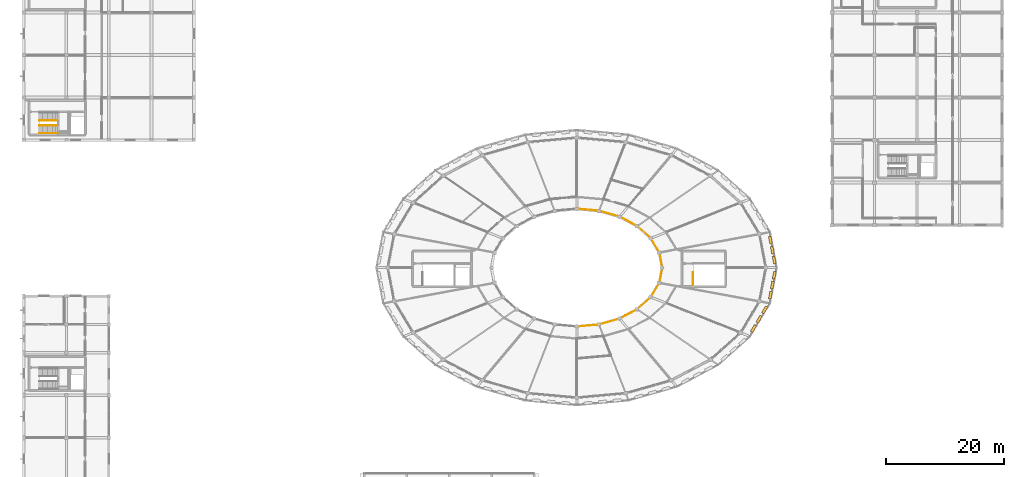
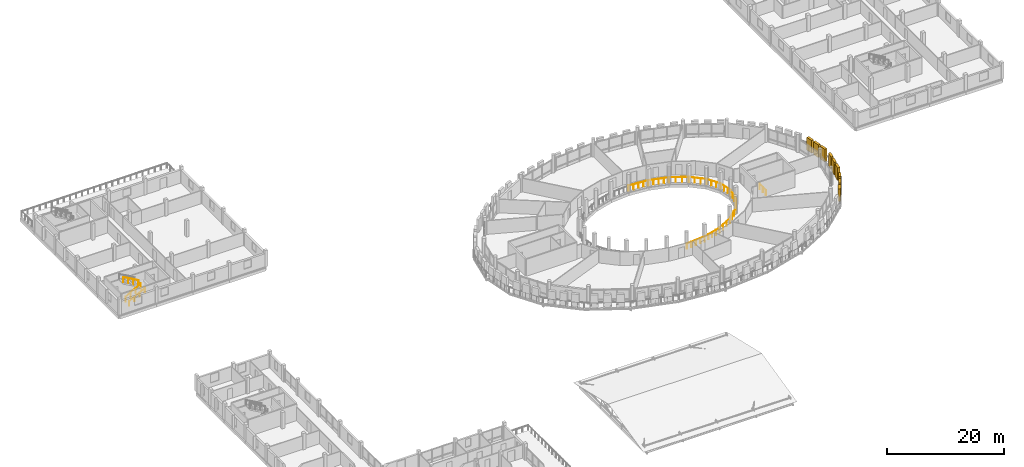
# One storey, part 81 of 84: 9 shading devices, 6 railings.
"""IFC4 building model written with IfcOpenShell, lengths in metres."""

import ifcopenshell
import ifcopenshell.guid

model = None  # the IFC model being written
_history = None  # IfcOwnerHistory: only IFC2X3 demands one
_inside = {}  # id of a spatial element -> (the spatial element, [elements in it])
_under = {}  # id of a project, library or spatial element -> (it, [spatial elements below it])
_declared = {}  # id of a project -> (the project, [libraries it declares])
_typed = {}  # id of a type object -> (the type object, [elements of that type])
_made_of = {}  # id of a material, layer set ... -> (it, [elements and type objects made of it])


def new_model(schema):
    """Start an empty IFC model of exactly this schema.

    Asked for "IFC4X3", IfcOpenShell would pick the latest addendum, in which some entities
    have other attributes; the version numbers below select the first issue.
    IFC2X3 requires an IfcOwnerHistory on every rooted entity: one is made here for all.
    """
    global model, _history
    if schema == "IFC4X3":
        model = ifcopenshell.file(schema_version=(4, 3, 0, 0))
    else:
        model = ifcopenshell.file(schema=schema)
    _inside.clear()
    _under.clear()
    _declared.clear()
    _typed.clear()
    _made_of.clear()
    _history = None
    if model.schema == "IFC2X3":
        org = make("IfcOrganization", Name="unknown")
        user = make(
            "IfcPersonAndOrganization",
            ThePerson=make("IfcPerson", FamilyName="unknown"),
            TheOrganization=org,
        )
        app = make(
            "IfcApplication",
            ApplicationDeveloper=org,
            Version="unknown",
            ApplicationFullName="unknown",
            ApplicationIdentifier="unknown",
        )
        _history = make(
            "IfcOwnerHistory",
            OwningUser=user,
            OwningApplication=app,
            ChangeAction="ADDED",
            CreationDate=0,
        )
    return model


def make(cls, **values):
    """One entity of the class cls with the attributes given. An attribute that is None is left unset."""
    return model.create_entity(
        cls, **{name: value for name, value in values.items() if value is not None}
    )


def rooted(cls, **values):
    """An entity with a GlobalId (a new one), such as an element, a storey or a relation."""
    return make(cls, GlobalId=ifcopenshell.guid.new(), OwnerHistory=_history, **values)


def si_unit(unit_type, name, prefix=None):
    """IfcSIUnit, for example si_unit("LENGTHUNIT", "METRE", prefix="MILLI")."""
    return make("IfcSIUnit", UnitType=unit_type, Prefix=prefix, Name=name)


def assignment(units):
    """IfcUnitAssignment: the units of a project."""
    return None if units is None else make("IfcUnitAssignment", Units=units)


def point(xyz):
    """IfcCartesianPoint."""
    return None if xyz is None else make("IfcCartesianPoint", Coordinates=xyz)


def direction(xyz):
    """IfcDirection."""
    return None if xyz is None else make("IfcDirection", DirectionRatios=xyz)


def frame(location, z_axis=None, x_axis=None):
    """IfcAxis2Placement3D, a coordinate frame: its origin and axes. An axis left out is left unset."""
    return make(
        "IfcAxis2Placement3D",
        Location=point(location),
        Axis=direction(z_axis),
        RefDirection=direction(x_axis),
    )


def frame_2d(location, x_axis=None):
    """IfcAxis2Placement2D, a coordinate frame in the plane: its origin and x axis."""
    return make(
        "IfcAxis2Placement2D", Location=point(location), RefDirection=direction(x_axis)
    )


def origin():
    """The frame at (0, 0, 0) with its axes left unset."""
    return frame((0.0, 0.0, 0.0))


def origin_2d():
    """The frame at (0, 0) in the plane with its x axis left unset."""
    return frame_2d((0.0, 0.0))


def place(relative_to, where):
    """IfcLocalPlacement: puts the frame where relative to a parent placement (None: the world)."""
    return make(
        "IfcLocalPlacement", PlacementRelTo=relative_to, RelativePlacement=where
    )


def context(
    kind, dimensions, precision=None, world=None, true_north=None, identifier=None
):
    """IfcGeometricRepresentationContext, for example the 3D "Model" context."""
    return make(
        "IfcGeometricRepresentationContext",
        ContextIdentifier=identifier,
        ContextType=kind,
        CoordinateSpaceDimension=dimensions,
        Precision=precision,
        WorldCoordinateSystem=world,
        TrueNorth=true_north,
    )


def subcontext(parent, identifier, kind, view, scale=None):
    """IfcGeometricRepresentationSubContext, for example "Body" below "Model"."""
    return make(
        "IfcGeometricRepresentationSubContext",
        ContextIdentifier=identifier,
        ContextType=kind,
        ParentContext=parent,
        TargetScale=scale,
        TargetView=view,
    )


def project(units=None, contexts=None):
    """IfcProject with its units and contexts."""
    return rooted(
        "IfcProject",
        Name="project",
        RepresentationContexts=contexts,
        UnitsInContext=assignment(units),
    )


def spatial(cls, under=None, at=None, **own):
    """A site, building, storey or space (cls), placed at a placement, below another one or the project."""
    s = rooted(cls, ObjectPlacement=at, **own)
    if under is not None:
        _under.setdefault(under.id(), (under, []))[1].append(s)
    return s


def profile(cls, at=None, kind="AREA", **sizes):
    """A parametric profile (cls). Its sizes go by their IFC names, for example OverallWidth=200.0."""
    return make(cls, ProfileType=kind, Position=at, **sizes)


def rectangle(**sizes):
    """IfcRectangleProfileDef."""
    return profile("IfcRectangleProfileDef", **sizes)


def circle(**sizes):
    """IfcCircleProfileDef."""
    return profile("IfcCircleProfileDef", **sizes)


def extrude(swept, where, along, depth):
    """IfcExtrudedAreaSolid: the profile swept, set in the frame where, extruded along a direction by depth."""
    return make(
        "IfcExtrudedAreaSolid",
        SweptArea=swept,
        Position=where,
        ExtrudedDirection=direction(along),
        Depth=depth,
    )


def shape(context_of_items, identifier, shape_type, items):
    """IfcShapeRepresentation: the items that make up one representation, for example the "Body"."""
    return make(
        "IfcShapeRepresentation",
        ContextOfItems=context_of_items,
        RepresentationIdentifier=identifier,
        RepresentationType=shape_type,
        Items=items,
    )


def material(Name=None, Category=None):
    """IfcMaterial."""
    return make("IfcMaterial", Name=Name, Category=Category)


def made_of(thing, what):
    """Note that an element or type object is made of a material, layer set ...; save() writes the relation."""
    if what is not None:
        _made_of.setdefault(what.id(), (what, []))[1].append(thing)
    return thing


def type_object(cls, material=None, **own):
    """A type object (cls), such as IfcWallType, which elements share."""
    return made_of(rooted(cls, **own), material)


def element(
    cls,
    number,
    at=None,
    inside=None,
    cuts=None,
    type_object=None,
    material=None,
    context=None,
    identifier="Body",
    shape_type=None,
    held_by="IfcProductDefinitionShape",
    body=None,
    shapes=None,
    **own,
):
    """One element of the class cls, such as IfcWall. Its Tag is "e" and its number.

    at: its placement. inside: the storey or other place that contains it. cuts: it is an
    opening in that element (IfcRelVoidsElement). A single representation is given by context,
    identifier, shape_type and body (its items); several are given by shapes. held_by: the class
    of the entity that holds the representations. save() writes the other relations.
    """
    e = rooted(cls, Tag="e%d" % number, ObjectPlacement=at, **own)
    if body is not None:
        shapes = [shape(context, identifier, shape_type, body)]
    if shapes is not None:
        e.Representation = make(held_by, Representations=shapes)
    if inside is not None:
        _inside.setdefault(inside.id(), (inside, []))[1].append(e)
    if cuts is not None:
        rooted(
            "IfcRelVoidsElement", RelatingBuildingElement=cuts, RelatedOpeningElement=e
        )
    if type_object is not None:
        _typed.setdefault(type_object.id(), (type_object, []))[1].append(e)
    return made_of(e, material)


def aggregate(whole, parts):
    """IfcRelAggregates: a whole, such as a stair, and the parts it consists of."""
    return rooted("IfcRelAggregates", RelatingObject=whole, RelatedObjects=parts)


def save(model, path):
    """Write the relations noted so far, then the file.

    IfcRelAggregates (storeys below a building ...), IfcRelContainedInSpatialStructure (elements
    in a storey), IfcRelDefinesByType, IfcRelAssociatesMaterial and IfcRelDeclares: one each for
    every whole, place, type object, material and project.
    """
    for whole, parts in _under.values():
        aggregate(whole, parts)
    for where, things in _inside.values():
        rooted(
            "IfcRelContainedInSpatialStructure",
            RelatedElements=things,
            RelatingStructure=where,
        )
    for kind, things in _typed.values():
        rooted("IfcRelDefinesByType", RelatedObjects=things, RelatingType=kind)
    for what, things in _made_of.values():
        rooted("IfcRelAssociatesMaterial", RelatedObjects=things, RelatingMaterial=what)
    for by, libraries in _declared.values():
        rooted("IfcRelDeclares", RelatingContext=by, RelatedDefinitions=libraries)
    model.write(path)


model = new_model("IFC4")

# Units and contexts
model_context = context("Model", 3, precision=1e-05, world=origin(), true_north=direction((0.0, 1.0)))
body_context = subcontext(model_context, "Body", "Model", "MODEL_VIEW")
ifc_project = project(units=[si_unit("LENGTHUNIT", "METRE"), si_unit("AREAUNIT", "SQUARE_METRE"), si_unit("VOLUMEUNIT", "CUBIC_METRE"), si_unit("PLANEANGLEUNIT", "RADIAN"), si_unit("MASSUNIT", "GRAM", prefix="KILO")], contexts=[model_context])

# Site, building, storey
site_placement = place(None, origin())
site = spatial("IfcSite", under=ifc_project, at=site_placement, CompositionType="ELEMENT")
building_placement = place(site_placement, origin())
building = spatial("IfcBuilding", under=site, at=building_placement, Name="Zornivar Specialist Clinic", CompositionType="ELEMENT")
storey_placement = place(building_placement, frame((0.0, 0.0, 12.300048828125)))
storey = spatial("IfcBuildingStorey", under=building, at=storey_placement, Name="L03", CompositionType="ELEMENT", Elevation=12.300048828125)

# Railings
ifc_material_1 = material(Name="Brushed Stainless Steel Stair Guardrail", Category="steel")
railing_type_1 = type_object("IfcRailingType", Name="GRD-INT-STAIR-1100", PredefinedType="GUARDRAIL", material=ifc_material_1)
railing_1_placement = place(storey_placement, frame((113.27001953125, 54.659912109375, 0.0)))
element("IfcRailing", 1, at=railing_1_placement, inside=storey, type_object=railing_type_1, Name="sg:C4:L03:topwell", PredefinedType="GUARDRAIL", context=body_context, shape_type="SweptSolid", body=[
    extrude(circle(Radius=0.02392578125, at=origin_2d()), frame((0.0, 0.0, 1.076171875), z_axis=(0.0, 1.0, 0.0), x_axis=(-1.0, 0.0, 0.0)), (0.0, 0.0, 1.0), 2.1201171875),
    extrude(circle(Radius=0.02099609375, at=origin_2d()), origin(), (0.0, 0.0, 1.0), 1.052001953125),
    extrude(circle(Radius=0.02099609375, at=origin_2d()), frame((0.0, 1.06005859375, 0.0)), (0.0, 0.0, 1.0), 1.052001953125),
    extrude(circle(Radius=0.02099609375, at=origin_2d()), frame((0.0, 2.1201171875, 0.0)), (0.0, 0.0, 1.0), 1.052001953125),
])
railing_2_placement = place(storey_placement, frame((2.639892578125, 81.679931640625, 0.154052734375)))
element("IfcRailing", 2, at=railing_2_placement, inside=storey, type_object=railing_type_1, Name="stair:C7:L03:grd1", PredefinedType="GUARDRAIL", context=body_context, shape_type="SweptSolid", body=[
    extrude(circle(Radius=0.02392578125, at=origin_2d()), frame((0.0, 0.0, 1.076171875), z_axis=(0.870544365607, 0.0, 0.492089938436), x_axis=(0.0, 1.0, 0.0)), (0.0, 0.0, 1.0), 3.446044921875),
    extrude(circle(Radius=0.02099609375, at=origin_2d()), origin(), (0.0, 0.0, 1.0), 1.052001953125),
    extrude(circle(Radius=0.02099609375, at=origin_2d()), frame((1.0, 0.0, 0.565185546875)), (0.0, 0.0, 1.0), 1.052001953125),
    extrude(circle(Radius=0.02099609375, at=origin_2d()), frame((2.0, 0.0, 1.130615234375)), (0.0, 0.0, 1.0), 1.052001953125),
    extrude(circle(Radius=0.02099609375, at=origin_2d()), frame((3.0, 0.0, 1.69580078125)), (0.0, 0.0, 1.0), 1.052001953125),
])
railing_3_placement = place(storey_placement, frame((5.639892578125, 82.52001953125, 2.00390625)))
element("IfcRailing", 3, at=railing_3_placement, inside=storey, type_object=railing_type_1, Name="stair:C7:L03:grd2", PredefinedType="GUARDRAIL", context=body_context, shape_type="SweptSolid", body=[
    extrude(circle(Radius=0.02392578125, at=origin_2d()), frame((0.0, 0.0, 1.076171875), z_axis=(-0.869096283189, 0.0, 0.49464295259), x_axis=(0.0, -1.0, 0.0)), (0.0, 0.0, 1.0), 3.4287109375),
    extrude(circle(Radius=0.02099609375, at=origin_2d()), origin(), (0.0, 0.0, 1.0), 1.052001953125),
    extrude(circle(Radius=0.02099609375, at=origin_2d()), frame((-0.993408203125, 0.0, 0.5654296875)), (0.0, 0.0, 1.0), 1.052001953125),
    extrude(circle(Radius=0.02099609375, at=origin_2d()), frame((-1.986572265625, 0.0, 1.130615234375)), (0.0, 0.0, 1.0), 1.052001953125),
    extrude(circle(Radius=0.02099609375, at=origin_2d()), frame((-2.97998046875, 0.0, 1.696044921875)), (0.0, 0.0, 1.0), 1.052001953125),
])
railing_4_placement = place(storey_placement, frame((108.073974609375, 57.62890625, 0.0)))
element("IfcRailing", 4, at=railing_4_placement, inside=storey, type_object=railing_type_1, Name="sg:V1:L03:atrium:q0", PredefinedType="GUARDRAIL", context=body_context, shape_type="SweptSolid", body=[
    extrude(circle(Radius=0.02392578125, at=origin_2d()), frame((0.0, 0.0, 1.076171875), z_axis=(-0.187453881852, 0.982273405004, 0.0), x_axis=(-0.982273405004, -0.187453881852, 0.0)), (0.0, 0.0, 1.0), 2.593017578125),
    extrude(circle(Radius=0.02392578125, at=origin_2d()), frame((-0.486083984375, 2.547119140625, 1.076171875), z_axis=(-0.5146109966, 0.857423770477, 0.0), x_axis=(-0.857423770477, -0.5146109966, 0.0)), (0.0, 0.0, 1.0), 2.8037109375),
    extrude(circle(Radius=0.02392578125, at=origin_2d()), frame((-1.928955078125, 4.951171875, 1.076171875), z_axis=(-0.743690964055, 0.668523559781, 0.0), x_axis=(-0.668523559781, -0.743690964055, 0.0)), (0.0, 0.0, 1.0), 3.0888671875),
    extrude(circle(Radius=0.02392578125, at=origin_2d()), frame((-4.22607421875, 7.01611328125, 1.076171875), z_axis=(-0.883356925607, 0.468700908878, 0.0), x_axis=(-0.468700908878, -0.883356925607, 0.0)), (0.0, 0.0, 1.0), 3.392578125),
    extrude(circle(Radius=0.02392578125, at=origin_2d()), frame((-7.222900390625, 8.606201171875, 1.076171875), z_axis=(-0.96120914359, 0.27582056174, 0.0), x_axis=(-0.27582056174, -0.96120914359, 0.0)), (0.0, 0.0, 1.0), 3.63623046875),
    extrude(circle(Radius=0.02392578125, at=origin_2d()), frame((-10.718017578125, 9.609130859375, 1.076171875), z_axis=(-0.995889996682, 0.090571046743, 0.0), x_axis=(-0.090571046743, -0.995889996682, 0.0)), (0.0, 0.0, 1.0), 3.741455078125),
    extrude(circle(Radius=0.02099609375, at=origin_2d()), origin(), (0.0, 0.0, 1.0), 1.052001953125),
    extrude(circle(Radius=0.02099609375, at=origin_2d()), frame((-0.162109375, 0.84912109375, 0.0)), (0.0, 0.0, 1.0), 1.052001953125),
    extrude(circle(Radius=0.02099609375, at=origin_2d()), frame((-0.323974609375, 1.697998046875, 0.0)), (0.0, 0.0, 1.0), 1.052001953125),
    extrude(circle(Radius=0.02099609375, at=origin_2d()), frame((-0.486083984375, 2.547119140625, 0.0)), (0.0, 0.0, 1.0), 1.052001953125),
    extrude(circle(Radius=0.02099609375, at=origin_2d()), frame((-0.967041015625, 3.348388671875, 0.0)), (0.0, 0.0, 1.0), 1.052001953125),
    extrude(circle(Radius=0.02099609375, at=origin_2d()), frame((-1.447998046875, 4.14990234375, 0.0)), (0.0, 0.0, 1.0), 1.052001953125),
    extrude(circle(Radius=0.02099609375, at=origin_2d()), frame((-1.928955078125, 4.951171875, 0.0)), (0.0, 0.0, 1.0), 1.052001953125),
    extrude(circle(Radius=0.02099609375, at=origin_2d()), frame((-2.694580078125, 5.639404296875, 0.0)), (0.0, 0.0, 1.0), 1.052001953125),
    extrude(circle(Radius=0.02099609375, at=origin_2d()), frame((-3.46044921875, 6.327880859375, 0.0)), (0.0, 0.0, 1.0), 1.052001953125),
    extrude(circle(Radius=0.02099609375, at=origin_2d()), frame((-4.22607421875, 7.01611328125, 0.0)), (0.0, 0.0, 1.0), 1.052001953125),
    extrude(circle(Radius=0.02099609375, at=origin_2d()), frame((-5.22509765625, 7.546142578125, 0.0)), (0.0, 0.0, 1.0), 1.052001953125),
    extrude(circle(Radius=0.02099609375, at=origin_2d()), frame((-6.223876953125, 8.076171875, 0.0)), (0.0, 0.0, 1.0), 1.052001953125),
    extrude(circle(Radius=0.02099609375, at=origin_2d()), frame((-7.222900390625, 8.606201171875, 0.0)), (0.0, 0.0, 1.0), 1.052001953125),
    extrude(circle(Radius=0.02099609375, at=origin_2d()), frame((-8.0966796875, 8.85693359375, 0.0)), (0.0, 0.0, 1.0), 1.052001953125),
    extrude(circle(Radius=0.02099609375, at=origin_2d()), frame((-8.970458984375, 9.107666015625, 0.0)), (0.0, 0.0, 1.0), 1.052001953125),
    extrude(circle(Radius=0.02099609375, at=origin_2d()), frame((-9.84423828125, 9.3583984375, 0.0)), (0.0, 0.0, 1.0), 1.052001953125),
    extrude(circle(Radius=0.02099609375, at=origin_2d()), frame((-10.718017578125, 9.609130859375, 0.0)), (0.0, 0.0, 1.0), 1.052001953125),
    extrude(circle(Radius=0.02099609375, at=origin_2d()), frame((-11.6494140625, 9.69384765625, 0.0)), (0.0, 0.0, 1.0), 1.052001953125),
    extrude(circle(Radius=0.02099609375, at=origin_2d()), frame((-12.5810546875, 9.778564453125, 0.0)), (0.0, 0.0, 1.0), 1.052001953125),
    extrude(circle(Radius=0.02099609375, at=origin_2d()), frame((-13.5126953125, 9.86328125, 0.0)), (0.0, 0.0, 1.0), 1.052001953125),
    extrude(circle(Radius=0.02099609375, at=origin_2d()), frame((-14.444091796875, 9.947998046875, 0.0)), (0.0, 0.0, 1.0), 1.052001953125),
])
railing_5_placement = place(storey_placement, frame((93.6298828125, 47.623046875, 0.0)))
element("IfcRailing", 5, at=railing_5_placement, inside=storey, type_object=railing_type_1, Name="sg:V1:L03:atrium:q3", PredefinedType="GUARDRAIL", context=body_context, shape_type="SweptSolid", body=[
    extrude(circle(Radius=0.02392578125, at=origin_2d()), frame((0.0, 0.0, 1.076171875), z_axis=(0.995889996682, 0.090571046743, 0.0), x_axis=(-0.090571046743, 0.995889996682, 0.0)), (0.0, 0.0, 1.0), 3.741455078125),
    extrude(circle(Radius=0.02392578125, at=origin_2d()), frame((3.72607421875, 0.3388671875, 1.076171875), z_axis=(0.961191341068, 0.275882594332, 0.0), x_axis=(-0.275882594332, 0.961191341068, 0.0)), (0.0, 0.0, 1.0), 3.63623046875),
    extrude(circle(Radius=0.02392578125, at=origin_2d()), frame((7.22119140625, 1.342041015625, 1.076171875), z_axis=(0.883386720056, 0.468644751202, 0.0), x_axis=(-0.468644751202, 0.883386720056, 0.0)), (0.0, 0.0, 1.0), 3.392333984375),
    extrude(circle(Radius=0.02392578125, at=origin_2d()), frame((10.218017578125, 2.931884765625, 1.076171875), z_axis=(0.74365166795, 0.668567271675, 0.0), x_axis=(-0.668567271675, 0.74365166795, 0.0)), (0.0, 0.0, 1.0), 3.0888671875),
    extrude(circle(Radius=0.02392578125, at=origin_2d()), frame((12.51513671875, 4.9970703125, 1.076171875), z_axis=(0.51464941973, 0.857400708404, 0.0), x_axis=(-0.857400708404, 0.51464941973, 0.0)), (0.0, 0.0, 1.0), 2.8037109375),
    extrude(circle(Radius=0.02392578125, at=origin_2d()), frame((13.9580078125, 7.40087890625, 1.076171875), z_axis=(0.187453881852, 0.982273405004, 0.0), x_axis=(-0.982273405004, 0.187453881852, 0.0)), (0.0, 0.0, 1.0), 2.593017578125),
    extrude(circle(Radius=0.02099609375, at=origin_2d()), origin(), (0.0, 0.0, 1.0), 1.052001953125),
    extrude(circle(Radius=0.02099609375, at=origin_2d()), frame((0.931640625, 0.084716796875, 0.0)), (0.0, 0.0, 1.0), 1.052001953125),
    extrude(circle(Radius=0.02099609375, at=origin_2d()), frame((1.863037109375, 0.16943359375, 0.0)), (0.0, 0.0, 1.0), 1.052001953125),
    extrude(circle(Radius=0.02099609375, at=origin_2d()), frame((2.79443359375, 0.254150390625, 0.0)), (0.0, 0.0, 1.0), 1.052001953125),
    extrude(circle(Radius=0.02099609375, at=origin_2d()), frame((3.72607421875, 0.3388671875, 0.0)), (0.0, 0.0, 1.0), 1.052001953125),
    extrude(circle(Radius=0.02099609375, at=origin_2d()), frame((4.599853515625, 0.589599609375, 0.0)), (0.0, 0.0, 1.0), 1.052001953125),
    extrude(circle(Radius=0.02099609375, at=origin_2d()), frame((5.4736328125, 0.84033203125, 0.0)), (0.0, 0.0, 1.0), 1.052001953125),
    extrude(circle(Radius=0.02099609375, at=origin_2d()), frame((6.347412109375, 1.09130859375, 0.0)), (0.0, 0.0, 1.0), 1.052001953125),
    extrude(circle(Radius=0.02099609375, at=origin_2d()), frame((7.22119140625, 1.342041015625, 0.0)), (0.0, 0.0, 1.0), 1.052001953125),
    extrude(circle(Radius=0.02099609375, at=origin_2d()), frame((8.22021484375, 1.8720703125, 0.0)), (0.0, 0.0, 1.0), 1.052001953125),
    extrude(circle(Radius=0.02099609375, at=origin_2d()), frame((9.218994140625, 2.40185546875, 0.0)), (0.0, 0.0, 1.0), 1.052001953125),
    extrude(circle(Radius=0.02099609375, at=origin_2d()), frame((10.218017578125, 2.931884765625, 0.0)), (0.0, 0.0, 1.0), 1.052001953125),
    extrude(circle(Radius=0.02099609375, at=origin_2d()), frame((10.983642578125, 3.620361328125, 0.0)), (0.0, 0.0, 1.0), 1.052001953125),
    extrude(circle(Radius=0.02099609375, at=origin_2d()), frame((11.74951171875, 4.30859375, 0.0)), (0.0, 0.0, 1.0), 1.052001953125),
    extrude(circle(Radius=0.02099609375, at=origin_2d()), frame((12.51513671875, 4.9970703125, 0.0)), (0.0, 0.0, 1.0), 1.052001953125),
    extrude(circle(Radius=0.02099609375, at=origin_2d()), frame((12.99609375, 5.79833984375, 0.0)), (0.0, 0.0, 1.0), 1.052001953125),
    extrude(circle(Radius=0.02099609375, at=origin_2d()), frame((13.47705078125, 6.599609375, 0.0)), (0.0, 0.0, 1.0), 1.052001953125),
    extrude(circle(Radius=0.02099609375, at=origin_2d()), frame((13.9580078125, 7.40087890625, 0.0)), (0.0, 0.0, 1.0), 1.052001953125),
    extrude(circle(Radius=0.02099609375, at=origin_2d()), frame((14.1201171875, 8.25, 0.0)), (0.0, 0.0, 1.0), 1.052001953125),
    extrude(circle(Radius=0.02099609375, at=origin_2d()), frame((14.281982421875, 9.098876953125, 0.0)), (0.0, 0.0, 1.0), 1.052001953125),
    extrude(circle(Radius=0.02099609375, at=origin_2d()), frame((14.444091796875, 9.947998046875, 0.0)), (0.0, 0.0, 1.0), 1.052001953125),
])
ifc_material_2 = material(Name="Brushed Stainless Steel Continuous Handrail", Category="steel")
railing_type_2 = type_object("IfcRailingType", Name="HRL-STAIR-0920", PredefinedType="HANDRAIL", material=ifc_material_2)
railing_6_placement = place(storey_placement, frame((2.60009765625, 80.3701171875, 0.154052734375)))
element("IfcRailing", 6, at=railing_6_placement, inside=storey, type_object=railing_type_2, Name="stair:C7:L03:hr1", PredefinedType="HANDRAIL", context=body_context, shape_type="SweptSolid", body=[
    extrude(circle(Radius=0.02392578125, at=origin_2d()), frame((0.0, 0.0, 0.89599609375), z_axis=(0.875988564427, 0.0, 0.482331872256), x_axis=(0.0, 1.0, 0.0)), (0.0, 0.0, 1.0), 3.515869140625),
    extrude(circle(Radius=0.02099609375, at=origin_2d()), origin(), (0.0, 0.0, 1.0), 0.871826171875),
    extrude(circle(Radius=0.02099609375, at=origin_2d()), frame((1.026611328125, 0.0, 0.565185546875)), (0.0, 0.0, 1.0), 0.871826171875),
    extrude(circle(Radius=0.02099609375, at=origin_2d()), frame((2.05322265625, 0.0, 1.130615234375)), (0.0, 0.0, 1.0), 0.871826171875),
    extrude(circle(Radius=0.02099609375, at=origin_2d()), frame((3.079833984375, 0.0, 1.69580078125)), (0.0, 0.0, 1.0), 0.871826171875),
])

# Shading devices
ifc_material_3 = material(Name="Oiled European Larch Timber Louvre Shutter", Category="wood")
shading_device_type = type_object("IfcShadingDeviceType", Name="SHD-DRUM-SHUTTER-450", PredefinedType="SHUTTER", material=ifc_material_3)
for number, where, z_axis, x_axis, name in (
    (7, (127.02001953125, 58.881103515625, 0.0), (0.0, 0.0, 1.0), (-0.188098987302, 0.982150075587, 0.0), "shutter:V1:L03:c00:0"),
    (8, (126.696044921875, 60.571044921875, 0.0), (0.0, 0.0, 1.0), (-0.188098987302, 0.982150075587, 0.0), "shutter:V1:L03:c00:1"),
    (9, (126.373046875, 62.260986328125, 0.0), (0.0, 0.0, 1.0), (-0.188098987302, 0.982150075587, 0.0), "shutter:V1:L03:c00:2"),
    (10, (123.507080078125, 47.305908203125, 0.0), (0.0, 0.0, 1.0), (0.516018019467, 0.856577727696, 0.0), "shutter:V1:L03:c22:0"),
    (11, (124.4560546875, 48.881103515625, 0.0), (0.0, 0.0, 1.0), (0.516018019467, 0.856577727696, 0.0), "shutter:V1:L03:c22:1"),
    (12, (125.404052734375, 50.4560546875, 0.0), (0.0, 0.0, 1.0), (0.516018019467, 0.856577727696, 0.0), "shutter:V1:L03:c22:2"),
    (13, (126.373046875, 52.93896484375, 0.0), (0.0, 0.0, 1.0), (0.188098987302, 0.982150075587, 0.0), "shutter:V1:L03:c23:0"),
    (14, (126.696044921875, 54.62890625, 0.0), (0.0, 0.0, 1.0), (0.188098987302, 0.982150075587, 0.0), "shutter:V1:L03:c23:1"),
    (15, (127.02001953125, 56.319091796875, 0.0), (0.0, 0.0, 1.0), (0.188098987302, 0.982150075587, 0.0), "shutter:V1:L03:c23:2"),
):
    element("IfcShadingDevice", number, at=place(storey_placement, frame(where, z_axis=z_axis, x_axis=x_axis)), inside=storey, type_object=shading_device_type, Name=name, PredefinedType="SHUTTER", context=body_context, shape_type="SweptSolid", body=[
        extrude(rectangle(XDim=1.300048828125, YDim=0.449951171875, at=origin_2d()), origin(), (0.0, 0.0, 1.0), 2.64990234375),
    ])

save(model, "model.ifc")
